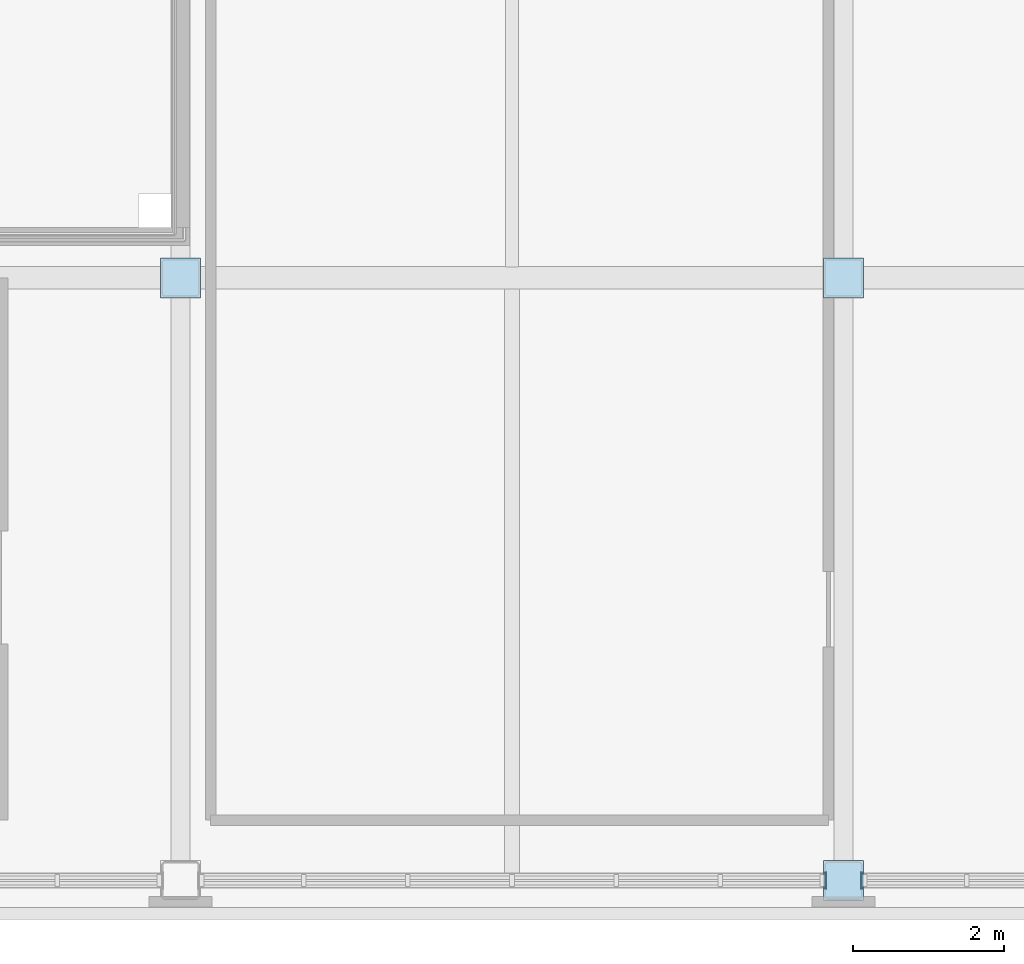
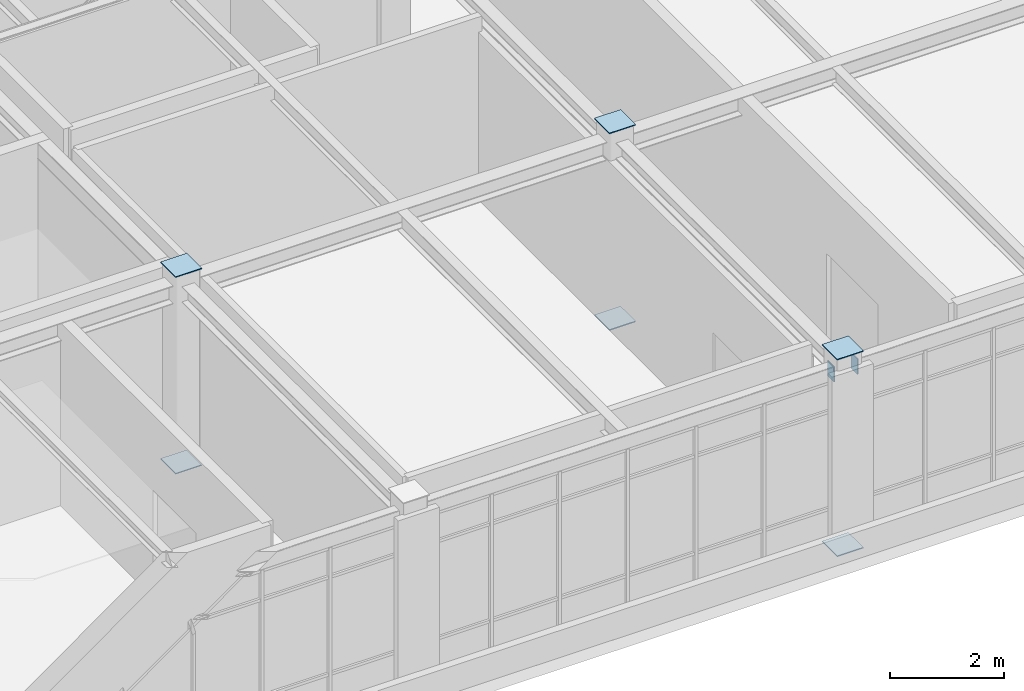
# One storey, part 28 of 45: 8 plates.
"""IFC4 building model written with IfcOpenShell, lengths in metres."""

from ifc_helpers import new_model, si_unit, direction, frame, origin, origin_2d, place, context, subcontext, project, spatial, rectangle, extrude, material, layer, layer_set, type_object, element, save


model = new_model("IFC4")

# Units and contexts
model_context = context("Model", 3, precision=1e-05, world=origin(), true_north=direction((0.0, 1.0)))
body_context = subcontext(model_context, "Body", "Model", "MODEL_VIEW")
ifc_project = project(units=[si_unit("LENGTHUNIT", "METRE"), si_unit("AREAUNIT", "SQUARE_METRE"), si_unit("VOLUMEUNIT", "CUBIC_METRE"), si_unit("PLANEANGLEUNIT", "RADIAN"), si_unit("MASSUNIT", "GRAM", prefix="KILO")], contexts=[model_context])

# Site, building, storey
site_placement = place(None, origin())
site = spatial("IfcSite", under=ifc_project, at=site_placement, CompositionType="ELEMENT")
building_placement = place(site_placement, origin())
building = spatial("IfcBuilding", under=site, at=building_placement, Name="Zhaolan Boulevard Law Courts", CompositionType="ELEMENT")
storey_placement = place(building_placement, frame((0.0, 0.0, 24.60009765625)))
storey = spatial("IfcBuildingStorey", under=building, at=storey_placement, Name="L05", CompositionType="ELEMENT", Elevation=24.60009765625)

# Plates
ifc_material = material(Name="Structural steel Q355B", Category="steel")
ifc_layer = layer(ifc_material, 0.02001953125)
ifc_layer_set = layer_set([ifc_layer])
plate_type = type_object("IfcPlateType", Name="END CAP PLATE 20", PredefinedType="SHEET", material=ifc_layer_set)
for number, where, z_axis, x_axis, name in (
    (1, (17.60009765625, 38.0, -0.01806640625), (0.0, 0.0, 1.0), (1.0, 0.0, 0.0), "Hollow Section End-Cap Plate ECP-0301"),
    (2, (17.60009765625, 38.0, 4.197998046875), (0.0, 0.0, 1.0), (1.0, 0.0, 0.0), "Hollow Section End-Cap Plate ECP-0302"),
    (3, (26.39990234375, 30.0, -0.01806640625), (0.0, 0.0, 1.0), (1.0, 0.0, 0.0), "Hollow Section End-Cap Plate ECP-0327"),
    (4, (26.39990234375, 30.0, 4.197998046875), (0.0, 0.0, 1.0), (1.0, 0.0, 0.0), "Hollow Section End-Cap Plate ECP-0328"),
    (5, (26.39990234375, 38.0, -0.01806640625), (0.0, 0.0, 1.0), (1.0, 0.0, 0.0), "Hollow Section End-Cap Plate ECP-0347"),
    (6, (26.39990234375, 38.0, 4.197998046875), (0.0, 0.0, 1.0), (1.0, 0.0, 0.0), "Hollow Section End-Cap Plate ECP-0348"),
):
    element("IfcPlate", number, at=place(storey_placement, frame(where, z_axis=z_axis, x_axis=x_axis)), inside=storey, type_object=plate_type, Name=name, PredefinedType="SHEET", context=body_context, shape_type="SweptSolid", body=[
        extrude(rectangle(XDim=0.530029296875, YDim=0.530029296875, at=origin_2d()), origin(), (0.0, 0.0, 1.0), 0.02001953125),
    ])
for number, where, z_axis, x_axis, name in (
    (7, (26.162109375, 30.0, 3.6328125), (0.0, 0.0, 1.0), (1.0, 0.0, 0.0), "Hollow Section End-Cap Plate ECP-0984"),
    (8, (26.637939453125, 30.0, 3.6328125), (0.0, 0.0, 1.0), (1.0, 0.0, 0.0), "Hollow Section End-Cap Plate ECP-0985"),
):
    element("IfcPlate", number, at=place(storey_placement, frame(where, z_axis=z_axis, x_axis=x_axis)), inside=storey, type_object=plate_type, Name=name, PredefinedType="SHEET", context=body_context, shape_type="SweptSolid", body=[
        extrude(rectangle(XDim=0.02001953125, YDim=0.22998046875, at=origin_2d()), origin(), (0.0, 0.0, 1.0), 0.330078125),
    ])

save(model, "model.ifc")
